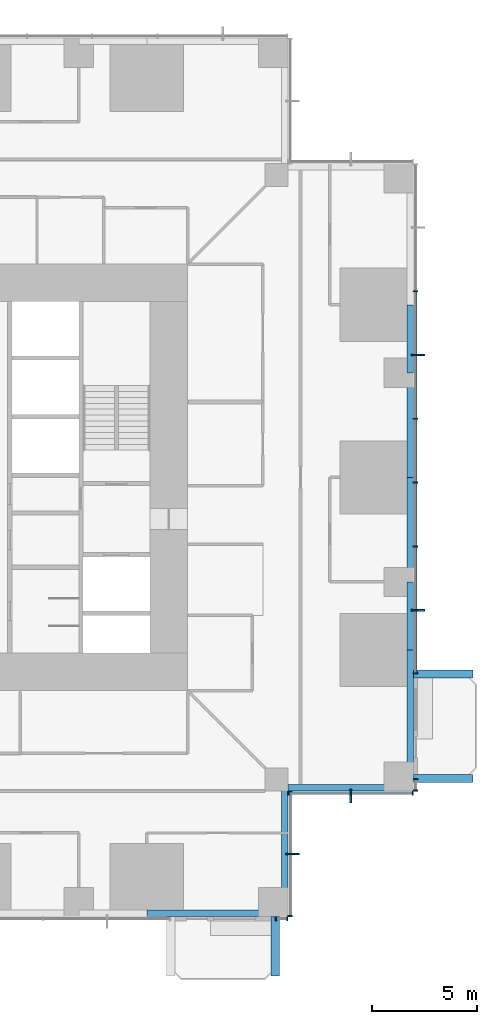
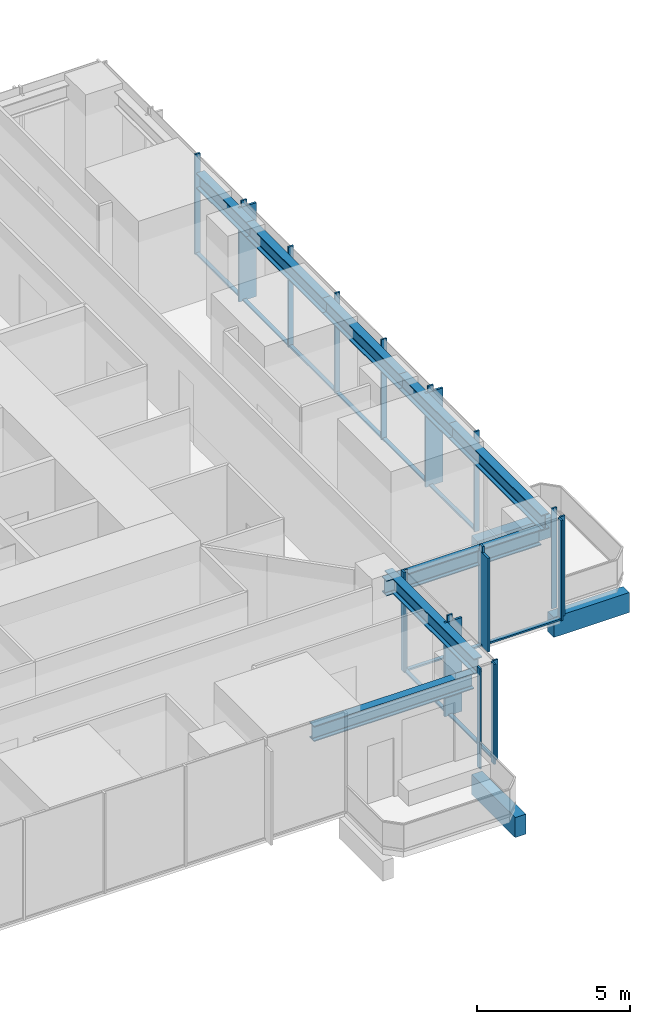
# One storey, part 4 of 15: 31 members, 11 beams, 5 elements without a shape of their own.
"""IFC4 building model written with IfcOpenShell, lengths in metres."""

import ifcopenshell
import ifcopenshell.guid

model = None  # the IFC model being written
_history = None  # IfcOwnerHistory: only IFC2X3 demands one
_inside = {}  # id of a spatial element -> (the spatial element, [elements in it])
_under = {}  # id of a project, library or spatial element -> (it, [spatial elements below it])
_declared = {}  # id of a project -> (the project, [libraries it declares])
_typed = {}  # id of a type object -> (the type object, [elements of that type])
_made_of = {}  # id of a material, layer set ... -> (it, [elements and type objects made of it])


def new_model(schema):
    """Start an empty IFC model of exactly this schema.

    Asked for "IFC4X3", IfcOpenShell would pick the latest addendum, in which some entities
    have other attributes; the version numbers below select the first issue.
    IFC2X3 requires an IfcOwnerHistory on every rooted entity: one is made here for all.
    """
    global model, _history
    if schema == "IFC4X3":
        model = ifcopenshell.file(schema_version=(4, 3, 0, 0))
    else:
        model = ifcopenshell.file(schema=schema)
    _inside.clear()
    _under.clear()
    _declared.clear()
    _typed.clear()
    _made_of.clear()
    _history = None
    if model.schema == "IFC2X3":
        org = make("IfcOrganization", Name="unknown")
        user = make(
            "IfcPersonAndOrganization",
            ThePerson=make("IfcPerson", FamilyName="unknown"),
            TheOrganization=org,
        )
        app = make(
            "IfcApplication",
            ApplicationDeveloper=org,
            Version="unknown",
            ApplicationFullName="unknown",
            ApplicationIdentifier="unknown",
        )
        _history = make(
            "IfcOwnerHistory",
            OwningUser=user,
            OwningApplication=app,
            ChangeAction="ADDED",
            CreationDate=0,
        )
    return model


def make(cls, **values):
    """One entity of the class cls with the attributes given. An attribute that is None is left unset."""
    return model.create_entity(
        cls, **{name: value for name, value in values.items() if value is not None}
    )


def rooted(cls, **values):
    """An entity with a GlobalId (a new one), such as an element, a storey or a relation."""
    return make(cls, GlobalId=ifcopenshell.guid.new(), OwnerHistory=_history, **values)


def si_unit(unit_type, name, prefix=None):
    """IfcSIUnit, for example si_unit("LENGTHUNIT", "METRE", prefix="MILLI")."""
    return make("IfcSIUnit", UnitType=unit_type, Prefix=prefix, Name=name)


def assignment(units):
    """IfcUnitAssignment: the units of a project."""
    return None if units is None else make("IfcUnitAssignment", Units=units)


def point(xyz):
    """IfcCartesianPoint."""
    return None if xyz is None else make("IfcCartesianPoint", Coordinates=xyz)


def direction(xyz):
    """IfcDirection."""
    return None if xyz is None else make("IfcDirection", DirectionRatios=xyz)


def frame(location, z_axis=None, x_axis=None):
    """IfcAxis2Placement3D, a coordinate frame: its origin and axes. An axis left out is left unset."""
    return make(
        "IfcAxis2Placement3D",
        Location=point(location),
        Axis=direction(z_axis),
        RefDirection=direction(x_axis),
    )


def frame_2d(location, x_axis=None):
    """IfcAxis2Placement2D, a coordinate frame in the plane: its origin and x axis."""
    return make(
        "IfcAxis2Placement2D", Location=point(location), RefDirection=direction(x_axis)
    )


def origin():
    """The frame at (0, 0, 0) with its axes left unset."""
    return frame((0.0, 0.0, 0.0))


def origin_2d():
    """The frame at (0, 0) in the plane with its x axis left unset."""
    return frame_2d((0.0, 0.0))


def place(relative_to, where):
    """IfcLocalPlacement: puts the frame where relative to a parent placement (None: the world)."""
    return make(
        "IfcLocalPlacement", PlacementRelTo=relative_to, RelativePlacement=where
    )


def context(
    kind, dimensions, precision=None, world=None, true_north=None, identifier=None
):
    """IfcGeometricRepresentationContext, for example the 3D "Model" context."""
    return make(
        "IfcGeometricRepresentationContext",
        ContextIdentifier=identifier,
        ContextType=kind,
        CoordinateSpaceDimension=dimensions,
        Precision=precision,
        WorldCoordinateSystem=world,
        TrueNorth=true_north,
    )


def subcontext(parent, identifier, kind, view, scale=None):
    """IfcGeometricRepresentationSubContext, for example "Body" below "Model"."""
    return make(
        "IfcGeometricRepresentationSubContext",
        ContextIdentifier=identifier,
        ContextType=kind,
        ParentContext=parent,
        TargetScale=scale,
        TargetView=view,
    )


def project(units=None, contexts=None):
    """IfcProject with its units and contexts."""
    return rooted(
        "IfcProject",
        Name="project",
        RepresentationContexts=contexts,
        UnitsInContext=assignment(units),
    )


def spatial(cls, under=None, at=None, **own):
    """A site, building, storey or space (cls), placed at a placement, below another one or the project."""
    s = rooted(cls, ObjectPlacement=at, **own)
    if under is not None:
        _under.setdefault(under.id(), (under, []))[1].append(s)
    return s


def profile(cls, at=None, kind="AREA", **sizes):
    """A parametric profile (cls). Its sizes go by their IFC names, for example OverallWidth=200.0."""
    return make(cls, ProfileType=kind, Position=at, **sizes)


def rectangle(**sizes):
    """IfcRectangleProfileDef."""
    return profile("IfcRectangleProfileDef", **sizes)


def i_section(**sizes):
    """IfcIShapeProfileDef."""
    return profile("IfcIShapeProfileDef", **sizes)


def extrude(swept, where, along, depth):
    """IfcExtrudedAreaSolid: the profile swept, set in the frame where, extruded along a direction by depth."""
    return make(
        "IfcExtrudedAreaSolid",
        SweptArea=swept,
        Position=where,
        ExtrudedDirection=direction(along),
        Depth=depth,
    )


def shape(context_of_items, identifier, shape_type, items):
    """IfcShapeRepresentation: the items that make up one representation, for example the "Body"."""
    return make(
        "IfcShapeRepresentation",
        ContextOfItems=context_of_items,
        RepresentationIdentifier=identifier,
        RepresentationType=shape_type,
        Items=items,
    )


def material(Name=None, Category=None):
    """IfcMaterial."""
    return make("IfcMaterial", Name=Name, Category=Category)


def material_profile(
    of_material, cross_section, Name=None, Category=None, Priority=None
):
    """IfcMaterialProfile: a cross section and its material."""
    return make(
        "IfcMaterialProfile",
        Name=Name,
        Material=of_material,
        Profile=cross_section,
        Priority=Priority,
        Category=Category,
    )


def profile_set(profiles, Name=None, composite=None):
    """IfcMaterialProfileSet."""
    return make(
        "IfcMaterialProfileSet",
        Name=Name,
        MaterialProfiles=profiles,
        CompositeProfile=composite,
    )


def made_of(thing, what):
    """Note that an element or type object is made of a material, layer set ...; save() writes the relation."""
    if what is not None:
        _made_of.setdefault(what.id(), (what, []))[1].append(thing)
    return thing


def type_object(cls, material=None, **own):
    """A type object (cls), such as IfcWallType, which elements share."""
    return made_of(rooted(cls, **own), material)


def element(
    cls,
    number,
    at=None,
    inside=None,
    cuts=None,
    type_object=None,
    material=None,
    context=None,
    identifier="Body",
    shape_type=None,
    held_by="IfcProductDefinitionShape",
    body=None,
    shapes=None,
    **own,
):
    """One element of the class cls, such as IfcWall. Its Tag is "e" and its number.

    at: its placement. inside: the storey or other place that contains it. cuts: it is an
    opening in that element (IfcRelVoidsElement). A single representation is given by context,
    identifier, shape_type and body (its items); several are given by shapes. held_by: the class
    of the entity that holds the representations. save() writes the other relations.
    """
    e = rooted(cls, Tag="e%d" % number, ObjectPlacement=at, **own)
    if body is not None:
        shapes = [shape(context, identifier, shape_type, body)]
    if shapes is not None:
        e.Representation = make(held_by, Representations=shapes)
    if inside is not None:
        _inside.setdefault(inside.id(), (inside, []))[1].append(e)
    if cuts is not None:
        rooted(
            "IfcRelVoidsElement", RelatingBuildingElement=cuts, RelatedOpeningElement=e
        )
    if type_object is not None:
        _typed.setdefault(type_object.id(), (type_object, []))[1].append(e)
    return made_of(e, material)


def aggregate(whole, parts):
    """IfcRelAggregates: a whole, such as a stair, and the parts it consists of."""
    return rooted("IfcRelAggregates", RelatingObject=whole, RelatedObjects=parts)


def save(model, path):
    """Write the relations noted so far, then the file.

    IfcRelAggregates (storeys below a building ...), IfcRelContainedInSpatialStructure (elements
    in a storey), IfcRelDefinesByType, IfcRelAssociatesMaterial and IfcRelDeclares: one each for
    every whole, place, type object, material and project.
    """
    for whole, parts in _under.values():
        aggregate(whole, parts)
    for where, things in _inside.values():
        rooted(
            "IfcRelContainedInSpatialStructure",
            RelatedElements=things,
            RelatingStructure=where,
        )
    for kind, things in _typed.values():
        rooted("IfcRelDefinesByType", RelatedObjects=things, RelatingType=kind)
    for what, things in _made_of.values():
        rooted("IfcRelAssociatesMaterial", RelatedObjects=things, RelatingMaterial=what)
    for by, libraries in _declared.values():
        rooted("IfcRelDeclares", RelatingContext=by, RelatedDefinitions=libraries)
    model.write(path)


model = new_model("IFC4")

# Units and contexts
model_context = context("Model", 3, precision=1e-05, world=origin(), true_north=direction((0.0, 1.0)))
body_context = subcontext(model_context, "Body", "Model", "MODEL_VIEW")
ifc_project = project(units=[si_unit("LENGTHUNIT", "METRE"), si_unit("AREAUNIT", "SQUARE_METRE"), si_unit("VOLUMEUNIT", "CUBIC_METRE"), si_unit("PLANEANGLEUNIT", "RADIAN"), si_unit("MASSUNIT", "GRAM", prefix="KILO")], contexts=[model_context])

# Site, building, storey
site_placement = place(None, origin())
site = spatial("IfcSite", under=ifc_project, at=site_placement, CompositionType="ELEMENT")
building_placement = place(site_placement, origin())
building = spatial("IfcBuilding", under=site, at=building_placement, Name="Svetlomir Tower", CompositionType="ELEMENT")
storey_placement = place(building_placement, frame((0.0, 0.0, 66.5)))
storey = spatial("IfcBuildingStorey", under=building, at=storey_placement, Name="L15", CompositionType="ELEMENT", Elevation=66.5)

# Beams
ifc_material_1 = material(Name="Concrete C60/75", Category="concrete")
ifc_material_profile_1 = material_profile(ifc_material_1, rectangle(XDim=0.39990234375, YDim=0.800048828125, at=origin_2d()), Name="RC 400x800")
ifc_profile_set_1 = profile_set([ifc_material_profile_1], Name="Concrete C60/75")
beam_type_1 = type_object("IfcBeamType", Name="BALCONY RIB RC 400x800", PredefinedType="BEAM", material=ifc_profile_set_1)
for number, where, z_axis, x_axis, name in (
    (1, (35.39990234375, 0.0, -0.64990234375), (0.0, -1.0, 0.0), (1.0, 0.0, 0.0), "Balcony rib S 2 L15"),
    (2, (42.0, 6.60009765625, -0.64990234375), (1.0, 0.0, 0.0), (0.0, 1.0, 0.0), "Balcony rib E 1 L15"),
    (3, (42.0, 11.60009765625, -0.64990234375), (1.0, 0.0, 0.0), (0.0, 1.0, 0.0), "Balcony rib E 2 L15"),
):
    element("IfcBeam", number, at=place(storey_placement, frame(where, z_axis=z_axis, x_axis=x_axis)), inside=storey, type_object=beam_type_1, Name=name, PredefinedType="BEAM", context=body_context, shape_type="SweptSolid", body=[
        extrude(rectangle(XDim=0.39990234375, YDim=0.800048828125, at=origin_2d()), origin(), (0.0, 0.0, 1.0), 2.85009765625),
    ])

# Curtain wall, member
ifc_material_2 = material(Name="Bronze anodised aluminium curtain wall", Category="aluminium")
curtain_wall_type = type_object("IfcCurtainWallType", Name="CURTAIN WALL CW1 TOWER OFFICE", PredefinedType="NOTDEFINED", material=ifc_material_2)
curtain_wall_1_placement = place(storey_placement, origin())
curtain_wall_1 = element("IfcCurtainWall", 4, at=curtain_wall_1_placement, inside=storey, type_object=curtain_wall_type, Name="Curtain wall CW1 L15", PredefinedType="NOTDEFINED")
ifc_material_3 = material(Name="Bronze anodised aluminium", Category="aluminium")
ifc_material_profile_2 = material_profile(ifc_material_3, rectangle(XDim=0.080078125, YDim=0.64990234375, at=origin_2d()), Name="FIN 80x650")
ifc_profile_set_2 = profile_set([ifc_material_profile_2], Name="Bronze anodised aluminium 6063-T6")
member_type_1 = type_object("IfcMemberType", Name="BRONZE FIN 80x650", PredefinedType="USERDEFINED", material=ifc_profile_set_2)
member_1_placement = place(storey_placement, frame((36.22509765625, 3.0, 0.0), z_axis=(0.0, 0.0, 1.0), x_axis=(0.0, 1.0, 0.0)))
member_1 = element("IfcMember", 5, at=member_1_placement, type_object=member_type_1, Name="Bronze fin L15", ObjectType="FIN", PredefinedType="USERDEFINED", context=body_context, shape_type="SweptSolid", body=[
    extrude(rectangle(XDim=0.080078125, YDim=0.64990234375, at=origin_2d()), origin(), (0.0, 0.0, 1.0), 3.75),
])

curtain_wall_2_placement = place(storey_placement, origin())
curtain_wall_2 = element("IfcCurtainWall", 6, at=curtain_wall_2_placement, inside=storey, type_object=curtain_wall_type, Name="Curtain wall CW1 L15", PredefinedType="NOTDEFINED")
member_2_placement = place(storey_placement, frame((39.0, 5.77490234375, 0.0), z_axis=(0.0, 0.0, 1.0), x_axis=(1.0, 0.0, 0.0)))
member_2 = element("IfcMember", 7, at=member_2_placement, type_object=member_type_1, Name="Bronze fin L15", ObjectType="FIN", PredefinedType="USERDEFINED", context=body_context, shape_type="SweptSolid", body=[
    extrude(rectangle(XDim=0.080078125, YDim=0.64990234375, at=origin_2d()), origin(), (0.0, 0.0, 1.0), 3.75),
])

# Curtain wall, members
curtain_wall_3_placement = place(storey_placement, origin())
curtain_wall_3 = element("IfcCurtainWall", 8, at=curtain_wall_3_placement, inside=storey, type_object=curtain_wall_type, Name="Curtain wall CW1 L15", PredefinedType="NOTDEFINED")
member_3_placement = place(storey_placement, frame((42.22509765625, 14.64990234375, 0.0), z_axis=(0.0, 0.0, 1.0), x_axis=(0.0, 1.0, 0.0)))
member_3 = element("IfcMember", 9, at=member_3_placement, type_object=member_type_1, Name="Bronze fin L15", ObjectType="FIN", PredefinedType="USERDEFINED", context=body_context, shape_type="SweptSolid", body=[
    extrude(rectangle(XDim=0.080078125, YDim=0.64990234375, at=origin_2d()), origin(), (0.0, 0.0, 1.0), 3.75),
])
member_4_placement = place(storey_placement, frame((42.22509765625, 26.85009765625, 0.0), z_axis=(0.0, 0.0, 1.0), x_axis=(0.0, 1.0, 0.0)))
member_4 = element("IfcMember", 10, at=member_4_placement, type_object=member_type_1, Name="Bronze fin L15", ObjectType="FIN", PredefinedType="USERDEFINED", context=body_context, shape_type="SweptSolid", body=[
    extrude(rectangle(XDim=0.080078125, YDim=0.64990234375, at=origin_2d()), origin(), (0.0, 0.0, 1.0), 3.75),
])

curtain_wall_4_placement = place(storey_placement, origin())
curtain_wall_4 = element("IfcCurtainWall", 11, at=curtain_wall_4_placement, inside=storey, type_object=curtain_wall_type, Name="Curtain wall CW1 L15", PredefinedType="NOTDEFINED")
ifc_material_4 = material(Name="Bronze anodised aluminium", Category="aluminium")
ifc_material_profile_3 = material_profile(ifc_material_4, rectangle(XDim=0.06494140625, YDim=0.199951171875, at=origin_2d()), Name="AL 65x200")
ifc_profile_set_3 = profile_set([ifc_material_profile_3], Name="Bronze anodised aluminium 6063-T6")
member_type_2 = type_object("IfcMemberType", Name="CW1 MULLION 65x200", PredefinedType="MULLION", material=ifc_profile_set_3)
member_5_placement = place(storey_placement, frame((35.4326171875, -0.10009765625, 0.0), z_axis=(0.0, 0.0, 1.0), x_axis=(1.0, 0.0, 0.0)))
member_5 = element("IfcMember", 12, at=member_5_placement, type_object=member_type_2, Name="CW1 mullion 1", PredefinedType="MULLION", context=body_context, shape_type="SweptSolid", body=[
    extrude(rectangle(XDim=0.06494140625, YDim=0.199951171875, at=origin_2d()), origin(), (0.0, 0.0, 1.0), 4.0),
])
member_6_placement = place(storey_placement, frame((35.967529296875, -0.10009765625, 0.0), z_axis=(0.0, 0.0, 1.0), x_axis=(1.0, 0.0, 0.0)))
member_6 = element("IfcMember", 13, at=member_6_placement, type_object=member_type_2, Name="CW1 mullion 2", PredefinedType="MULLION", context=body_context, shape_type="SweptSolid", body=[
    extrude(rectangle(XDim=0.06494140625, YDim=0.199951171875, at=origin_2d()), origin(), (0.0, 0.0, 1.0), 4.0),
])
aggregate(curtain_wall_4, [member_5, member_6])

# Member
member_7_placement = place(storey_placement, frame((36.10009765625, 0.032470703125, 0.0), z_axis=(0.0, 0.0, 1.0), x_axis=(0.0, 1.0, 0.0)))
member_7 = element("IfcMember", 14, at=member_7_placement, type_object=member_type_2, Name="CW1 mullion 1", PredefinedType="MULLION", context=body_context, shape_type="SweptSolid", body=[
    extrude(rectangle(XDim=0.06494140625, YDim=0.199951171875, at=origin_2d()), origin(), (0.0, 0.0, 1.0), 4.0),
])

member_8_placement = place(storey_placement, frame((36.10009765625, 3.0, 0.0), z_axis=(0.0, 0.0, 1.0), x_axis=(0.0, 1.0, 0.0)))
member_8 = element("IfcMember", 15, at=member_8_placement, type_object=member_type_2, Name="CW1 mullion 2", PredefinedType="MULLION", context=body_context, shape_type="SweptSolid", body=[
    extrude(rectangle(XDim=0.06494140625, YDim=0.199951171875, at=origin_2d()), origin(), (0.0, 0.0, 1.0), 4.0),
])

member_9_placement = place(storey_placement, frame((36.10009765625, 5.967529296875, 0.0), z_axis=(0.0, 0.0, 1.0), x_axis=(0.0, 1.0, 0.0)))
member_9 = element("IfcMember", 16, at=member_9_placement, type_object=member_type_2, Name="CW1 mullion 3", PredefinedType="MULLION", context=body_context, shape_type="SweptSolid", body=[
    extrude(rectangle(XDim=0.06494140625, YDim=0.199951171875, at=origin_2d()), origin(), (0.0, 0.0, 1.0), 4.0),
])

member_10_placement = place(storey_placement, frame((36.032470703125, 5.89990234375, 0.0), z_axis=(0.0, 0.0, 1.0), x_axis=(1.0, 0.0, 0.0)))
member_10 = element("IfcMember", 17, at=member_10_placement, type_object=member_type_2, Name="CW1 mullion 1", PredefinedType="MULLION", context=body_context, shape_type="SweptSolid", body=[
    extrude(rectangle(XDim=0.06494140625, YDim=0.199951171875, at=origin_2d()), origin(), (0.0, 0.0, 1.0), 4.0),
])

member_11_placement = place(storey_placement, frame((39.0, 5.89990234375, 0.0), z_axis=(0.0, 0.0, 1.0), x_axis=(1.0, 0.0, 0.0)))
member_11 = element("IfcMember", 18, at=member_11_placement, type_object=member_type_2, Name="CW1 mullion 2", PredefinedType="MULLION", context=body_context, shape_type="SweptSolid", body=[
    extrude(rectangle(XDim=0.06494140625, YDim=0.199951171875, at=origin_2d()), origin(), (0.0, 0.0, 1.0), 4.0),
])

member_12_placement = place(storey_placement, frame((41.967529296875, 5.89990234375, 0.0), z_axis=(0.0, 0.0, 1.0), x_axis=(1.0, 0.0, 0.0)))
member_12 = element("IfcMember", 19, at=member_12_placement, type_object=member_type_2, Name="CW1 mullion 3", PredefinedType="MULLION", context=body_context, shape_type="SweptSolid", body=[
    extrude(rectangle(XDim=0.06494140625, YDim=0.199951171875, at=origin_2d()), origin(), (0.0, 0.0, 1.0), 4.0),
])

# Curtain wall, members
curtain_wall_5_placement = place(storey_placement, origin())
curtain_wall_5 = element("IfcCurtainWall", 20, at=curtain_wall_5_placement, inside=storey, type_object=curtain_wall_type, Name="Curtain wall CW1 L15", PredefinedType="NOTDEFINED")
member_13_placement = place(storey_placement, frame((42.10009765625, 6.032470703125, 0.0), z_axis=(0.0, 0.0, 1.0), x_axis=(0.0, 1.0, 0.0)))
member_13 = element("IfcMember", 21, at=member_13_placement, type_object=member_type_2, Name="CW1 mullion 1", PredefinedType="MULLION", context=body_context, shape_type="SweptSolid", body=[
    extrude(rectangle(XDim=0.06494140625, YDim=0.199951171875, at=origin_2d()), origin(), (0.0, 0.0, 1.0), 4.0),
])
member_14_placement = place(storey_placement, frame((42.10009765625, 6.5673828125, 0.0), z_axis=(0.0, 0.0, 1.0), x_axis=(0.0, 1.0, 0.0)))
member_14 = element("IfcMember", 22, at=member_14_placement, type_object=member_type_2, Name="CW1 mullion 2", PredefinedType="MULLION", context=body_context, shape_type="SweptSolid", body=[
    extrude(rectangle(XDim=0.06494140625, YDim=0.199951171875, at=origin_2d()), origin(), (0.0, 0.0, 1.0), 4.0),
])
aggregate(curtain_wall_5, [member_13, member_14])

# Member
member_15_placement = place(storey_placement, frame((42.10009765625, 11.632568359375, 0.0), z_axis=(0.0, 0.0, 1.0), x_axis=(0.0, 1.0, 0.0)))
member_15 = element("IfcMember", 23, at=member_15_placement, type_object=member_type_2, Name="CW1 mullion 1", PredefinedType="MULLION", context=body_context, shape_type="SweptSolid", body=[
    extrude(rectangle(XDim=0.06494140625, YDim=0.199951171875, at=origin_2d()), origin(), (0.0, 0.0, 1.0), 4.0),
])

member_16_placement = place(storey_placement, frame((42.10009765625, 14.64990234375, 0.0), z_axis=(0.0, 0.0, 1.0), x_axis=(0.0, 1.0, 0.0)))
member_16 = element("IfcMember", 24, at=member_16_placement, type_object=member_type_2, Name="CW1 mullion 2", PredefinedType="MULLION", context=body_context, shape_type="SweptSolid", body=[
    extrude(rectangle(XDim=0.06494140625, YDim=0.199951171875, at=origin_2d()), origin(), (0.0, 0.0, 1.0), 4.0),
])

member_17_placement = place(storey_placement, frame((42.10009765625, 17.699951171875, 0.0), z_axis=(0.0, 0.0, 1.0), x_axis=(0.0, 1.0, 0.0)))
member_17 = element("IfcMember", 25, at=member_17_placement, type_object=member_type_2, Name="CW1 mullion 3", PredefinedType="MULLION", context=body_context, shape_type="SweptSolid", body=[
    extrude(rectangle(XDim=0.06494140625, YDim=0.199951171875, at=origin_2d()), origin(), (0.0, 0.0, 1.0), 4.0),
])

member_18_placement = place(storey_placement, frame((42.10009765625, 20.75, 0.0), z_axis=(0.0, 0.0, 1.0), x_axis=(0.0, 1.0, 0.0)))
member_18 = element("IfcMember", 26, at=member_18_placement, type_object=member_type_2, Name="CW1 mullion 4", PredefinedType="MULLION", context=body_context, shape_type="SweptSolid", body=[
    extrude(rectangle(XDim=0.06494140625, YDim=0.199951171875, at=origin_2d()), origin(), (0.0, 0.0, 1.0), 4.0),
])

member_19_placement = place(storey_placement, frame((42.10009765625, 23.800048828125, 0.0), z_axis=(0.0, 0.0, 1.0), x_axis=(0.0, 1.0, 0.0)))
member_19 = element("IfcMember", 27, at=member_19_placement, type_object=member_type_2, Name="CW1 mullion 5", PredefinedType="MULLION", context=body_context, shape_type="SweptSolid", body=[
    extrude(rectangle(XDim=0.06494140625, YDim=0.199951171875, at=origin_2d()), origin(), (0.0, 0.0, 1.0), 4.0),
])

member_20_placement = place(storey_placement, frame((42.10009765625, 26.85009765625, 0.0), z_axis=(0.0, 0.0, 1.0), x_axis=(0.0, 1.0, 0.0)))
member_20 = element("IfcMember", 28, at=member_20_placement, type_object=member_type_2, Name="CW1 mullion 6", PredefinedType="MULLION", context=body_context, shape_type="SweptSolid", body=[
    extrude(rectangle(XDim=0.06494140625, YDim=0.199951171875, at=origin_2d()), origin(), (0.0, 0.0, 1.0), 4.0),
])

member_21_placement = place(storey_placement, frame((42.10009765625, 29.89990234375, 0.0), z_axis=(0.0, 0.0, 1.0), x_axis=(0.0, 1.0, 0.0)))
member_21 = element("IfcMember", 29, at=member_21_placement, type_object=member_type_2, Name="CW1 mullion 7", PredefinedType="MULLION", context=body_context, shape_type="SweptSolid", body=[
    extrude(rectangle(XDim=0.06494140625, YDim=0.199951171875, at=origin_2d()), origin(), (0.0, 0.0, 1.0), 4.0),
])

ifc_material_5 = material(Name="Bronze anodised aluminium", Category="aluminium")
ifc_material_profile_4 = material_profile(ifc_material_5, rectangle(XDim=0.139892578125, YDim=0.06494140625, at=origin_2d()), Name="AL 140x65")
ifc_profile_set_4 = profile_set([ifc_material_profile_4], Name="Bronze anodised aluminium 6063-T6")
member_type_3 = type_object("IfcMemberType", Name="CW1 TRANSOM 65x140", PredefinedType="USERDEFINED", material=ifc_profile_set_4)
member_22_placement = place(storey_placement, frame((36.10009765625, 0.06494140625, 0.032470703125), z_axis=(0.0, 1.0, 0.0), x_axis=(-1.0, 0.0, 0.0)))
member_22 = element("IfcMember", 30, at=member_22_placement, type_object=member_type_3, Name="CW1 transom 1.1", ObjectType="TRANSOM", PredefinedType="USERDEFINED", context=body_context, shape_type="SweptSolid", body=[
    extrude(rectangle(XDim=0.139892578125, YDim=0.06494140625, at=origin_2d()), origin(), (0.0, 0.0, 1.0), 2.902587890625),
])

member_23_placement = place(storey_placement, frame((36.10009765625, 3.032470703125, 0.032470703125), z_axis=(0.0, 1.0, 0.0), x_axis=(-1.0, 0.0, 0.0)))
member_23 = element("IfcMember", 31, at=member_23_placement, type_object=member_type_3, Name="CW1 transom 2.1", ObjectType="TRANSOM", PredefinedType="USERDEFINED", context=body_context, shape_type="SweptSolid", body=[
    extrude(rectangle(XDim=0.139892578125, YDim=0.06494140625, at=origin_2d()), origin(), (0.0, 0.0, 1.0), 2.902587890625),
])

aggregate(curtain_wall_1, [member_7, member_8, member_9, member_22, member_23, member_1])

member_24_placement = place(storey_placement, frame((36.06494140625, 5.89990234375, 0.032470703125), z_axis=(1.0, 0.0, 0.0), x_axis=(0.0, 1.0, 0.0)))
member_24 = element("IfcMember", 32, at=member_24_placement, type_object=member_type_3, Name="CW1 transom 1.1", ObjectType="TRANSOM", PredefinedType="USERDEFINED", context=body_context, shape_type="SweptSolid", body=[
    extrude(rectangle(XDim=0.139892578125, YDim=0.06494140625, at=origin_2d()), origin(), (0.0, 0.0, 1.0), 2.902587890625),
])

member_25_placement = place(storey_placement, frame((39.032470703125, 5.89990234375, 0.032470703125), z_axis=(1.0, 0.0, 0.0), x_axis=(0.0, 1.0, 0.0)))
member_25 = element("IfcMember", 33, at=member_25_placement, type_object=member_type_3, Name="CW1 transom 2.1", ObjectType="TRANSOM", PredefinedType="USERDEFINED", context=body_context, shape_type="SweptSolid", body=[
    extrude(rectangle(XDim=0.139892578125, YDim=0.06494140625, at=origin_2d()), origin(), (0.0, 0.0, 1.0), 2.902587890625),
])

aggregate(curtain_wall_2, [member_10, member_11, member_12, member_24, member_25, member_2])

member_26_placement = place(storey_placement, frame((42.10009765625, 11.6650390625, 0.032470703125), z_axis=(0.0, 1.0, 0.0), x_axis=(-1.0, 0.0, 0.0)))
member_26 = element("IfcMember", 34, at=member_26_placement, type_object=member_type_3, Name="CW1 transom 1.1", ObjectType="TRANSOM", PredefinedType="USERDEFINED", context=body_context, shape_type="SweptSolid", body=[
    extrude(rectangle(XDim=0.139892578125, YDim=0.06494140625, at=origin_2d()), origin(), (0.0, 0.0, 1.0), 2.952392578125),
])

member_27_placement = place(storey_placement, frame((42.10009765625, 14.6826171875, 0.032470703125), z_axis=(0.0, 1.0, 0.0), x_axis=(-1.0, 0.0, 0.0)))
member_27 = element("IfcMember", 35, at=member_27_placement, type_object=member_type_3, Name="CW1 transom 2.1", ObjectType="TRANSOM", PredefinedType="USERDEFINED", context=body_context, shape_type="SweptSolid", body=[
    extrude(rectangle(XDim=0.139892578125, YDim=0.06494140625, at=origin_2d()), origin(), (0.0, 0.0, 1.0), 2.98486328125),
])

member_28_placement = place(storey_placement, frame((42.10009765625, 17.732421875, 0.032470703125), z_axis=(0.0, 1.0, 0.0), x_axis=(-1.0, 0.0, 0.0)))
member_28 = element("IfcMember", 36, at=member_28_placement, type_object=member_type_3, Name="CW1 transom 3.1", ObjectType="TRANSOM", PredefinedType="USERDEFINED", context=body_context, shape_type="SweptSolid", body=[
    extrude(rectangle(XDim=0.139892578125, YDim=0.06494140625, at=origin_2d()), origin(), (0.0, 0.0, 1.0), 2.985107421875),
])

member_29_placement = place(storey_placement, frame((42.10009765625, 20.782470703125, 0.032470703125), z_axis=(0.0, 1.0, 0.0), x_axis=(-1.0, 0.0, 0.0)))
member_29 = element("IfcMember", 37, at=member_29_placement, type_object=member_type_3, Name="CW1 transom 4.1", ObjectType="TRANSOM", PredefinedType="USERDEFINED", context=body_context, shape_type="SweptSolid", body=[
    extrude(rectangle(XDim=0.139892578125, YDim=0.06494140625, at=origin_2d()), origin(), (0.0, 0.0, 1.0), 2.985107421875),
])

member_30_placement = place(storey_placement, frame((42.10009765625, 23.83251953125, 0.032470703125), z_axis=(0.0, 1.0, 0.0), x_axis=(-1.0, 0.0, 0.0)))
member_30 = element("IfcMember", 38, at=member_30_placement, type_object=member_type_3, Name="CW1 transom 5.1", ObjectType="TRANSOM", PredefinedType="USERDEFINED", context=body_context, shape_type="SweptSolid", body=[
    extrude(rectangle(XDim=0.139892578125, YDim=0.06494140625, at=origin_2d()), origin(), (0.0, 0.0, 1.0), 2.98486328125),
])

member_31_placement = place(storey_placement, frame((42.10009765625, 26.882568359375, 0.032470703125), z_axis=(0.0, 1.0, 0.0), x_axis=(-1.0, 0.0, 0.0)))
member_31 = element("IfcMember", 39, at=member_31_placement, type_object=member_type_3, Name="CW1 transom 6.1", ObjectType="TRANSOM", PredefinedType="USERDEFINED", context=body_context, shape_type="SweptSolid", body=[
    extrude(rectangle(XDim=0.139892578125, YDim=0.06494140625, at=origin_2d()), origin(), (0.0, 0.0, 1.0), 2.98486328125),
])

aggregate(curtain_wall_3, [member_15, member_16, member_17, member_18, member_19, member_20, member_21, member_26, member_27, member_28, member_29, member_30, member_31, member_3, member_4])

# Beams
ifc_material_6 = material(Name="Steel S355", Category="steel")
ifc_material_profile_5 = material_profile(ifc_material_6, i_section(OverallWidth=0.304931640625, OverallDepth=0.6201171875, WebThickness=0.02099609375, FlangeThickness=0.0400390625, FilletRadius=0.027099609375, at=origin_2d()), Name="HEM 600")
ifc_profile_set_5 = profile_set([ifc_material_profile_5], Name="Steel S355")
beam_type_2 = type_object("IfcBeamType", Name="EDGE BEAM HEM 600", PredefinedType="SPANDREL", material=ifc_profile_set_5)
beam_1_placement = place(storey_placement, frame((41.847412109375, 6.699951171875, 3.43994140625), z_axis=(0.0, 1.0, 0.0), x_axis=(-1.0, 0.0, 0.0)))
element("IfcBeam", 40, at=beam_1_placement, inside=storey, type_object=beam_type_2, Name="Edge beam 42/6 to 42/11 under L16", PredefinedType="SPANDREL", context=body_context, shape_type="SweptSolid", body=[
    extrude(i_section(OverallWidth=0.304931640625, OverallDepth=0.6201171875, WebThickness=0.02099609375, FlangeThickness=0.0400390625, FilletRadius=0.027099609375, at=origin_2d()), origin(), (0.0, 0.0, 1.0), 6.050048828125),
])
beam_2_placement = place(storey_placement, frame((41.847412109375, 12.75, 3.43994140625), z_axis=(0.0, 1.0, 0.0), x_axis=(-1.0, 0.0, 0.0)))
element("IfcBeam", 41, at=beam_2_placement, inside=storey, type_object=beam_type_2, Name="Edge beam 42/11 to 42/16 under L16", PredefinedType="SPANDREL", context=body_context, shape_type="SweptSolid", body=[
    extrude(i_section(OverallWidth=0.304931640625, OverallDepth=0.6201171875, WebThickness=0.02099609375, FlangeThickness=0.0400390625, FilletRadius=0.027099609375, at=origin_2d()), origin(), (0.0, 0.0, 1.0), 3.25),
])
for number, where, z_axis, x_axis, name in (
    (42, (41.847412109375, 16.0, 3.43994140625), (0.0, 1.0, 0.0), (-1.0, 0.0, 0.0), "Edge beam 42/16 to 42/21 under L16"),
    (43, (41.847412109375, 21.0, 3.43994140625), (0.0, 1.0, 0.0), (-1.0, 0.0, 0.0), "Edge beam 42/21 to 42/26 under L16"),
):
    element("IfcBeam", number, at=place(storey_placement, frame(where, z_axis=z_axis, x_axis=x_axis)), inside=storey, type_object=beam_type_2, Name=name, PredefinedType="SPANDREL", context=body_context, shape_type="SweptSolid", body=[
        extrude(i_section(OverallWidth=0.304931640625, OverallDepth=0.6201171875, WebThickness=0.02099609375, FlangeThickness=0.0400390625, FilletRadius=0.027099609375, at=origin_2d()), origin(), (0.0, 0.0, 1.0), 5.0),
    ])
beam_3_placement = place(storey_placement, frame((41.847412109375, 26.0, 3.43994140625), z_axis=(0.0, 1.0, 0.0), x_axis=(-1.0, 0.0, 0.0)))
element("IfcBeam", 44, at=beam_3_placement, inside=storey, type_object=beam_type_2, Name="Edge beam 42/26 to 42/31 under L16", PredefinedType="SPANDREL", context=body_context, shape_type="SweptSolid", body=[
    extrude(i_section(OverallWidth=0.304931640625, OverallDepth=0.6201171875, WebThickness=0.02099609375, FlangeThickness=0.0400390625, FilletRadius=0.027099609375, at=origin_2d()), origin(), (0.0, 0.0, 1.0), 3.25),
])
beam_4_placement = place(storey_placement, frame((29.25, 0.152587890625, 3.43994140625), z_axis=(1.0, 0.0, 0.0), x_axis=(0.0, 1.0, 0.0)))
element("IfcBeam", 45, at=beam_4_placement, inside=storey, type_object=beam_type_2, Name="Edge beam 31/0 to 36/0 under L16", PredefinedType="SPANDREL", context=body_context, shape_type="SweptSolid", body=[
    extrude(i_section(OverallWidth=0.304931640625, OverallDepth=0.6201171875, WebThickness=0.02099609375, FlangeThickness=0.0400390625, FilletRadius=0.027099609375, at=origin_2d()), origin(), (0.0, 0.0, 1.0), 6.050048828125),
])
for number, where, z_axis, x_axis, name in (
    (46, (35.847412109375, 0.699951171875, 3.43994140625), (0.0, 1.0, 0.0), (-1.0, 0.0, 0.0), "Edge beam 36/0 to 36/6 under L16"),
    (47, (41.300048828125, 6.152587890625, 3.43994140625), (-1.0, 0.0, 0.0), (0.0, -1.0, 0.0), "Edge beam 42/6 to 36/6 under L16"),
):
    element("IfcBeam", number, at=place(storey_placement, frame(where, z_axis=z_axis, x_axis=x_axis)), inside=storey, type_object=beam_type_2, Name=name, PredefinedType="SPANDREL", context=body_context, shape_type="SweptSolid", body=[
        extrude(i_section(OverallWidth=0.304931640625, OverallDepth=0.6201171875, WebThickness=0.02099609375, FlangeThickness=0.0400390625, FilletRadius=0.027099609375, at=origin_2d()), origin(), (0.0, 0.0, 1.0), 5.85009765625),
    ])

save(model, "model.ifc")
